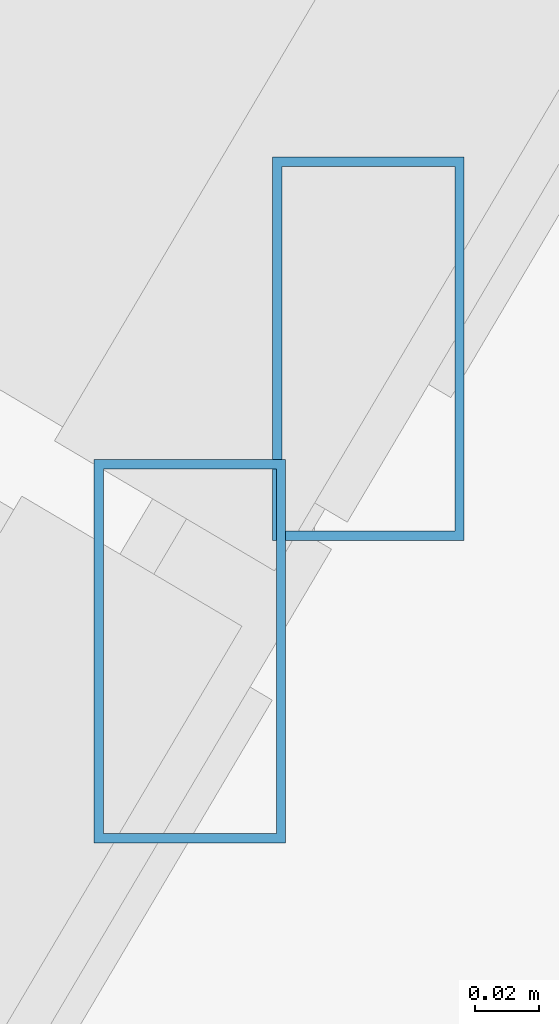
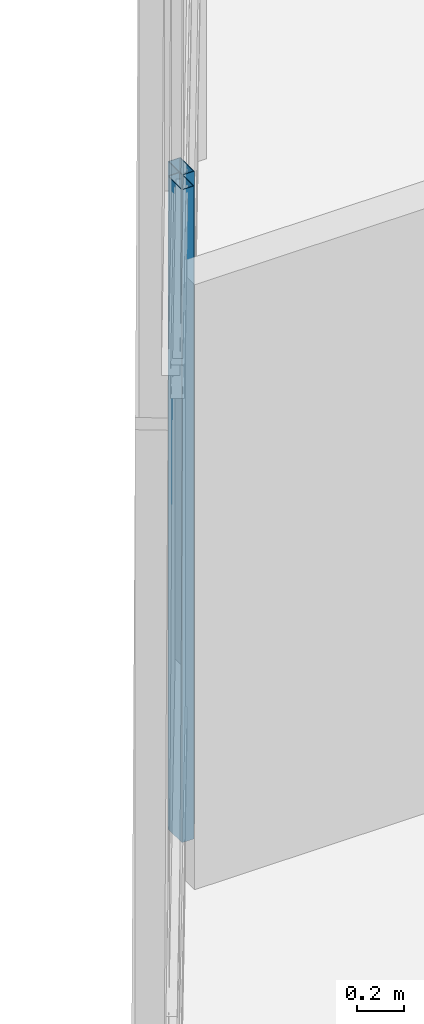
# One storey, part 14 of 50: 2 members, 2 elements without a shape of their own.
"""IFC4 building model written with IfcOpenShell, lengths in metres."""

from ifc_helpers import new_model, si_unit, direction, frame, origin, origin_2d, place, context, subcontext, project, spatial, hollow_rectangle, extrude, source, transform, mapped, material, material_profile, profile_set, type_object, type_shapes, element, aggregate, save


model = new_model("IFC4")

# Units and contexts
model_context = context("Model", 3, precision=1e-05, world=origin(), true_north=direction((0.0, 1.0)))
body_context = subcontext(model_context, "Body", "Model", "MODEL_VIEW")
ifc_project = project(units=[si_unit("LENGTHUNIT", "METRE"), si_unit("AREAUNIT", "SQUARE_METRE"), si_unit("VOLUMEUNIT", "CUBIC_METRE"), si_unit("PLANEANGLEUNIT", "RADIAN"), si_unit("MASSUNIT", "GRAM", prefix="KILO")], contexts=[model_context])

# Site, building, storey
site_placement = place(None, origin())
site = spatial("IfcSite", under=ifc_project, at=site_placement, CompositionType="ELEMENT")
building_placement = place(site_placement, origin())
building = spatial("IfcBuilding", under=site, at=building_placement, Name="Caelisora Broadcast Tower", CompositionType="ELEMENT")
storey_placement = place(building_placement, frame((0.0, 0.0, 303.39990234375)))
storey = spatial("IfcBuildingStorey", under=building, at=storey_placement, Name="L80", CompositionType="ELEMENT", Elevation=303.39990234375)

# Curtain wall, member
ifc_material_1 = material(Name="Unitised Aluminium Insulated Shadow-Box Spandrel Curtain Wall", Category="aluminium")
curtain_wall_type = type_object("IfcCurtainWallType", Name="CW-SP3", PredefinedType="NOTDEFINED", material=ifc_material_1)
curtain_wall_1_placement = place(storey_placement, origin())
curtain_wall_1 = element("IfcCurtainWall", 1, at=curtain_wall_1_placement, inside=storey, type_object=curtain_wall_type, Name="L80 curtain wall CW-SP3", PredefinedType="NOTDEFINED")
ifc_material_2 = material(Name="Aluminium 6063-T6 Anodised Terracotta Bronze", Category="aluminium")
ifc_material_profile = material_profile(ifc_material_2, hollow_rectangle(XDim=0.06005859375, YDim=0.1201171875, WallThickness=0.0029296875, at=origin_2d()), Name="Aluminium 6063-T6 Anodised Terracotta Bronze")
ifc_profile_set = profile_set([ifc_material_profile], Name="Aluminium 6063-T6 Anodised Terracotta Bronze")
member_type = type_object("IfcMemberType", Name="CWM-04", PredefinedType="MULLION", material=ifc_profile_set)
shared_shape = source(origin(), body_context, "Body", "SweptSolid", [
    extrude(hollow_rectangle(XDim=0.06005859375, YDim=0.1201171875, WallThickness=0.0029296875, at=origin_2d()), origin(), (0.0, 0.0, 1.0), 3.400146484375),
])
type_shapes(member_type, [shared_shape])
member_1_placement = place(storey_placement, frame((21.021728515625, 25.29931640625, 0.0), z_axis=(0.0, 0.0, 1.0), x_axis=(1.0, 0.0, 0.0)))
member_1 = element("IfcMember", 2, at=member_1_placement, type_object=member_type, Name="L80-CW-B09 mullion #3", PredefinedType="MULLION", context=body_context, shape_type="MappedRepresentation", body=[
    mapped(shared_shape, transform((0.0, 0.0, 0.0), scale=1.0)),
])
aggregate(curtain_wall_1, [member_1])

curtain_wall_2_placement = place(storey_placement, origin())
curtain_wall_2 = element("IfcCurtainWall", 3, at=curtain_wall_2_placement, inside=storey, type_object=curtain_wall_type, Name="L80 curtain wall CW-SP3", PredefinedType="NOTDEFINED")
member_2_placement = place(storey_placement, frame((21.07763671875, 25.39404296875, 0.0), z_axis=(0.0, 0.0, 1.0), x_axis=(1.0, 0.0, 0.0)))
member_2 = element("IfcMember", 4, at=member_2_placement, type_object=member_type, Name="L80-CW-B10 mullion #0", PredefinedType="MULLION", context=body_context, shape_type="MappedRepresentation", body=[
    mapped(shared_shape, transform((0.0, 0.0, 0.0), scale=1.0)),
])
aggregate(curtain_wall_2, [member_2])

save(model, "model.ifc")
